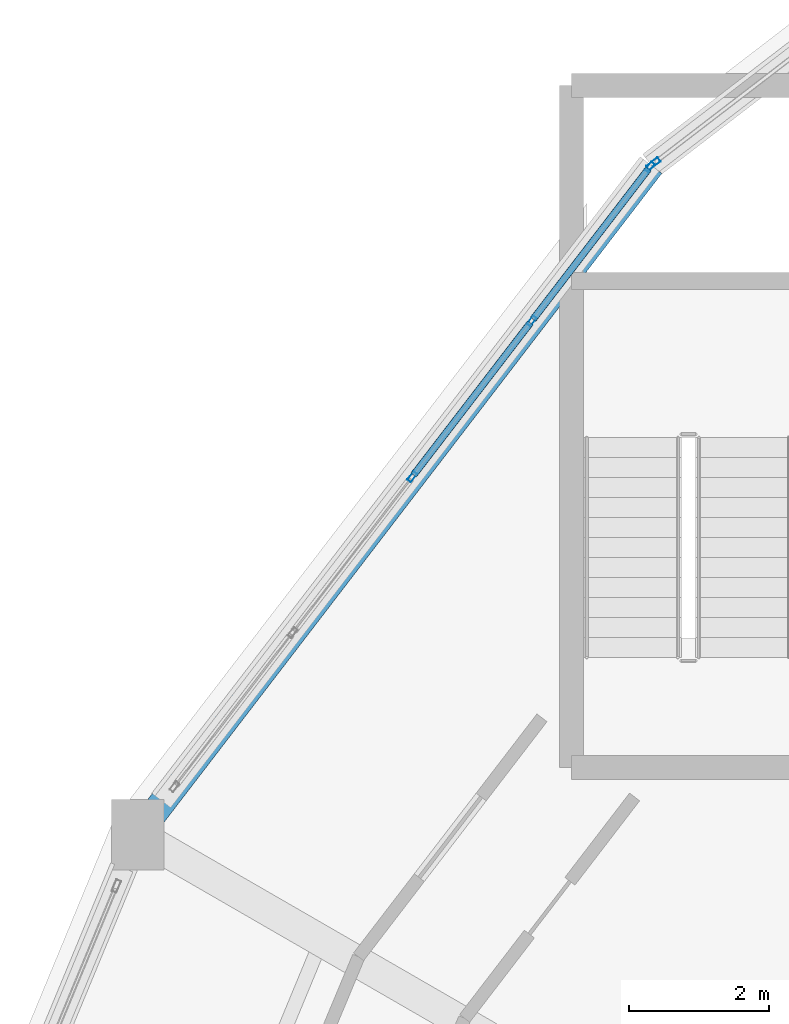
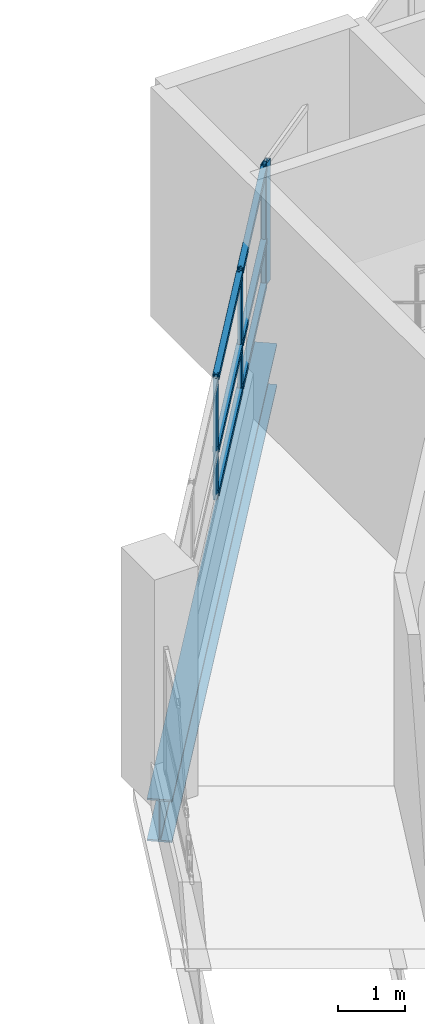
# One storey, part 52 of 128: 10 members, 1 beam, 2 elements without a shape of their own.
"""IFC4 building model written with IfcOpenShell, lengths in metres."""

from ifc_helpers import new_model, si_unit, direction, frame, origin, origin_2d, place, context, subcontext, project, spatial, hollow_rectangle, i_section, extrude, material, layer, layer_set, material_profile, profile_set, type_object, element, aggregate, save


model = new_model("IFC4")

# Units and contexts
model_context = context("Model", 3, precision=1e-05, world=origin(), true_north=direction((0.0, 1.0)))
body_context = subcontext(model_context, "Body", "Model", "MODEL_VIEW")
ifc_project = project(units=[si_unit("LENGTHUNIT", "METRE"), si_unit("AREAUNIT", "SQUARE_METRE"), si_unit("VOLUMEUNIT", "CUBIC_METRE"), si_unit("PLANEANGLEUNIT", "RADIAN"), si_unit("MASSUNIT", "GRAM", prefix="KILO")], contexts=[model_context])

# Site, building, storey
site_placement = place(None, origin())
site = spatial("IfcSite", under=ifc_project, at=site_placement, CompositionType="ELEMENT")
building_placement = place(site_placement, origin())
building = spatial("IfcBuilding", under=site, at=building_placement, Name="Vespera Passage Community Centre", CompositionType="ELEMENT")
storey_placement = place(building_placement, frame((0.0, 0.0, 4.5)))
storey = spatial("IfcBuildingStorey", under=building, at=storey_placement, Name="L01", CompositionType="ELEMENT", Elevation=4.5)

# Beam
ifc_material_1 = material(Name="Steel ASTM A992 Grade 50", Category="steel")
ifc_material_profile_1 = material_profile(ifc_material_1, i_section(OverallWidth=0.382080078125, OverallDepth=0.779296875, WebThickness=0.01806640625, FlangeThickness=0.030029296875, FilletRadius=0.0166015625, at=origin_2d()), Name="W30X191")
ifc_profile_set_1 = profile_set([ifc_material_profile_1], Name="Steel ASTM A992 Grade 50")
beam_type = type_object("IfcBeamType", Name="BM-SP-W30X191E", PredefinedType="SPANDREL", material=ifc_profile_set_1)
beam_placement = place(storey_placement, frame((45.40234375, 98.09765625, -0.629638671875), z_axis=(-0.608763261066, -0.793351934501, 0.0), x_axis=(0.793351934501, -0.608763261066, 0.0)))
element("IfcBeam", 1, at=beam_placement, inside=storey, type_object=beam_type, Name="V4 L01 Outer Spandrel 9", PredefinedType="SPANDREL", context=body_context, shape_type="SweptSolid", body=[
    extrude(i_section(OverallWidth=0.382080078125, OverallDepth=0.779296875, WebThickness=0.01806640625, FlangeThickness=0.030029296875, FilletRadius=0.0166015625, at=origin_2d()), origin(), (0.0, 0.0, 1.0), 12.034423828125),
])

# Curtain wall, members
ifc_material_2 = material(Name="Anodized aluminium 6063-T6", Category="aluminium")
ifc_layer_1 = layer(ifc_material_2, 0.159912109375)
ifc_layer_set_1 = layer_set([ifc_layer_1], Name="Anodized aluminium 6063-T6")
curtain_wall_type_1 = type_object("IfcCurtainWallType", Name="CW-18E", PredefinedType="NOTDEFINED", material=ifc_layer_set_1)
curtain_wall_1_placement = place(storey_placement, origin())
curtain_wall_1 = element("IfcCurtainWall", 2, at=curtain_wall_1_placement, inside=storey, type_object=curtain_wall_type_1, Name="V4 L01 Outer Ribbon Curtain Wall 9", PredefinedType="NOTDEFINED")
ifc_material_3 = material(Name="Anodized aluminium 6063-T6", Category="aluminium")
ifc_material_profile_2 = material_profile(ifc_material_3, hollow_rectangle(XDim=0.06494140625, YDim=0.14990234375, WallThickness=0.00390625, InnerFilletRadius=0.001953125, OuterFilletRadius=0.00390625, at=origin_2d()), Name="ALU150X65X4")
ifc_profile_set_2 = profile_set([ifc_material_profile_2], Name="Anodized aluminium 6063-T6")
member_type_1 = type_object("IfcMemberType", Name="MB-CWM-150E", PredefinedType="MULLION", material=ifc_profile_set_2)
member_1_placement = place(storey_placement, frame((41.9921875, 93.653564453125, 0.820068359375), z_axis=(0.0, 0.0, 1.0), x_axis=(-0.793350429062, 0.608765222978, 0.0)))
member_1 = element("IfcMember", 3, at=member_1_placement, type_object=member_type_1, Name="CW-18E mullion 3", PredefinedType="MULLION", context=body_context, shape_type="SweptSolid", body=[
    extrude(hollow_rectangle(XDim=0.06494140625, YDim=0.14990234375, WallThickness=0.00390625, InnerFilletRadius=0.001953125, OuterFilletRadius=0.00390625, at=origin_2d()), origin(), (0.0, 0.0, 1.0), 2.2255859375),
])
member_2_placement = place(storey_placement, frame((43.697265625, 95.87548828125, 0.820068359375), z_axis=(0.0, 0.0, 1.0), x_axis=(-0.793350429062, 0.608765222978, 0.0)))
member_2 = element("IfcMember", 4, at=member_2_placement, type_object=member_type_1, Name="CW-18E mullion 4", PredefinedType="MULLION", context=body_context, shape_type="SweptSolid", body=[
    extrude(hollow_rectangle(XDim=0.06494140625, YDim=0.14990234375, WallThickness=0.00390625, InnerFilletRadius=0.001953125, OuterFilletRadius=0.00390625, at=origin_2d()), origin(), (0.0, 0.0, 1.0), 2.2255859375),
])
member_3_placement = place(storey_placement, frame((45.382568359375, 98.07177734375, 0.820068359375), z_axis=(0.0, 0.0, 1.0), x_axis=(-0.793350429062, 0.608765222978, 0.0)))
member_3 = element("IfcMember", 5, at=member_3_placement, type_object=member_type_1, Name="CW-18E mullion 5", PredefinedType="MULLION", context=body_context, shape_type="SweptSolid", body=[
    extrude(hollow_rectangle(XDim=0.06494140625, YDim=0.14990234375, WallThickness=0.00390625, InnerFilletRadius=0.001953125, OuterFilletRadius=0.00390625, at=origin_2d()), origin(), (0.0, 0.0, 1.0), 2.2255859375),
])

# Curtain wall, member
ifc_material_4 = material(Name="Anodized aluminium 6063-T6", Category="aluminium")
ifc_layer_2 = layer(ifc_material_4, 0.159912109375)
ifc_layer_set_2 = layer_set([ifc_layer_2], Name="Anodized aluminium 6063-T6")
curtain_wall_type_2 = type_object("IfcCurtainWallType", Name="CW-16E", PredefinedType="NOTDEFINED", material=ifc_layer_set_2)
curtain_wall_2_placement = place(storey_placement, origin())
curtain_wall_2 = element("IfcCurtainWall", 6, at=curtain_wall_2_placement, inside=storey, type_object=curtain_wall_type_2, Name="V4 L01 Outer Ribbon Curtain Wall 8", PredefinedType="NOTDEFINED")
ifc_material_5 = material(Name="Anodized aluminium 6063-T6", Category="aluminium")
ifc_material_profile_3 = material_profile(ifc_material_5, hollow_rectangle(XDim=0.074951171875, YDim=0.2099609375, WallThickness=0.0048828125, InnerFilletRadius=0.00244140625, OuterFilletRadius=0.0048828125, at=origin_2d()), Name="ALU210X75X5")
ifc_profile_set_3 = profile_set([ifc_material_profile_3], Name="Anodized aluminium 6063-T6")
member_type_2 = type_object("IfcMemberType", Name="MB-CWM-210E", PredefinedType="MULLION", material=ifc_profile_set_3)
member_4_placement = place(storey_placement, frame((45.43212890625, 98.120361328125, 0.820068359375), z_axis=(0.0, 0.0, 1.0), x_axis=(-0.608768221519, 0.793348128169, 0.0)))
member_4 = element("IfcMember", 7, at=member_4_placement, type_object=member_type_2, Name="CW-16E mullion 1", PredefinedType="MULLION", context=body_context, shape_type="SweptSolid", body=[
    extrude(hollow_rectangle(XDim=0.074951171875, YDim=0.2099609375, WallThickness=0.0048828125, InnerFilletRadius=0.00244140625, OuterFilletRadius=0.0048828125, at=origin_2d()), origin(), (0.0, 0.0, 1.0), 2.2255859375),
])
aggregate(curtain_wall_2, [member_4])

# Member
ifc_material_6 = material(Name="Anodized aluminium 6063-T6", Category="aluminium")
ifc_material_profile_4 = material_profile(ifc_material_6, hollow_rectangle(XDim=0.10009765625, YDim=0.10009765625, WallThickness=0.00390625, InnerFilletRadius=0.001953125, OuterFilletRadius=0.00390625, at=origin_2d()), Name="ALU100X100X4")
ifc_profile_set_4 = profile_set([ifc_material_profile_4], Name="Anodized aluminium 6063-T6")
member_type_3 = type_object("IfcMemberType", Name="MB-CWT-100E", PredefinedType="USERDEFINED", material=ifc_profile_set_4)
member_5_placement = place(storey_placement, frame((42.011962890625, 93.67919921875, 0.8701171875), z_axis=(0.608744341023, 0.793366452072, 0.0), x_axis=(-0.793366452072, 0.608744341023, 0.0)))
member_5 = element("IfcMember", 8, at=member_5_placement, type_object=member_type_3, Name="CW-18E transom 3.1", ObjectType="TRANSOM", PredefinedType="USERDEFINED", context=body_context, shape_type="SweptSolid", body=[
    extrude(hollow_rectangle(XDim=0.10009765625, YDim=0.10009765625, WallThickness=0.00390625, InnerFilletRadius=0.001953125, OuterFilletRadius=0.00390625, at=origin_2d()), origin(), (0.0, 0.0, 1.0), 2.736083984375),
])

member_6_placement = place(storey_placement, frame((42.011962890625, 93.67919921875, 1.669921875), z_axis=(0.608744341023, 0.793366452072, 0.0), x_axis=(-0.793366452072, 0.608744341023, 0.0)))
member_6 = element("IfcMember", 9, at=member_6_placement, type_object=member_type_3, Name="CW-18E transom 3.2", ObjectType="TRANSOM", PredefinedType="USERDEFINED", context=body_context, shape_type="SweptSolid", body=[
    extrude(hollow_rectangle(XDim=0.10009765625, YDim=0.10009765625, WallThickness=0.00390625, InnerFilletRadius=0.001953125, OuterFilletRadius=0.00390625, at=origin_2d()), origin(), (0.0, 0.0, 1.0), 2.736083984375),
])

member_7_placement = place(storey_placement, frame((42.011962890625, 93.67919921875, 2.99560546875), z_axis=(0.608744341023, 0.793366452072, 0.0), x_axis=(-0.793366452072, 0.608744341023, 0.0)))
member_7 = element("IfcMember", 10, at=member_7_placement, type_object=member_type_3, Name="CW-18E transom 3.3", ObjectType="TRANSOM", PredefinedType="USERDEFINED", context=body_context, shape_type="SweptSolid", body=[
    extrude(hollow_rectangle(XDim=0.10009765625, YDim=0.10009765625, WallThickness=0.00390625, InnerFilletRadius=0.001953125, OuterFilletRadius=0.00390625, at=origin_2d()), origin(), (0.0, 0.0, 1.0), 2.736083984375),
])

member_8_placement = place(storey_placement, frame((43.717041015625, 95.9013671875, 0.8701171875), z_axis=(0.60876327124, 0.793351926694, 0.0), x_axis=(-0.793351926694, 0.60876327124, 0.0)))
member_8 = element("IfcMember", 11, at=member_8_placement, type_object=member_type_3, Name="CW-18E transom 4.1", ObjectType="TRANSOM", PredefinedType="USERDEFINED", context=body_context, shape_type="SweptSolid", body=[
    extrude(hollow_rectangle(XDim=0.10009765625, YDim=0.10009765625, WallThickness=0.00390625, InnerFilletRadius=0.001953125, OuterFilletRadius=0.00390625, at=origin_2d()), origin(), (0.0, 0.0, 1.0), 2.703369140625),
])

member_9_placement = place(storey_placement, frame((43.717041015625, 95.9013671875, 1.669921875), z_axis=(0.60876327124, 0.793351926694, 0.0), x_axis=(-0.793351926694, 0.60876327124, 0.0)))
member_9 = element("IfcMember", 12, at=member_9_placement, type_object=member_type_3, Name="CW-18E transom 4.2", ObjectType="TRANSOM", PredefinedType="USERDEFINED", context=body_context, shape_type="SweptSolid", body=[
    extrude(hollow_rectangle(XDim=0.10009765625, YDim=0.10009765625, WallThickness=0.00390625, InnerFilletRadius=0.001953125, OuterFilletRadius=0.00390625, at=origin_2d()), origin(), (0.0, 0.0, 1.0), 2.703369140625),
])

member_10_placement = place(storey_placement, frame((43.717041015625, 95.9013671875, 2.99560546875), z_axis=(0.60876327124, 0.793351926694, 0.0), x_axis=(-0.793351926694, 0.60876327124, 0.0)))
member_10 = element("IfcMember", 13, at=member_10_placement, type_object=member_type_3, Name="CW-18E transom 4.3", ObjectType="TRANSOM", PredefinedType="USERDEFINED", context=body_context, shape_type="SweptSolid", body=[
    extrude(hollow_rectangle(XDim=0.10009765625, YDim=0.10009765625, WallThickness=0.00390625, InnerFilletRadius=0.001953125, OuterFilletRadius=0.00390625, at=origin_2d()), origin(), (0.0, 0.0, 1.0), 2.703369140625),
])

aggregate(curtain_wall_1, [member_1, member_2, member_3, member_5, member_6, member_7, member_8, member_9, member_10])

save(model, "model.ifc")
